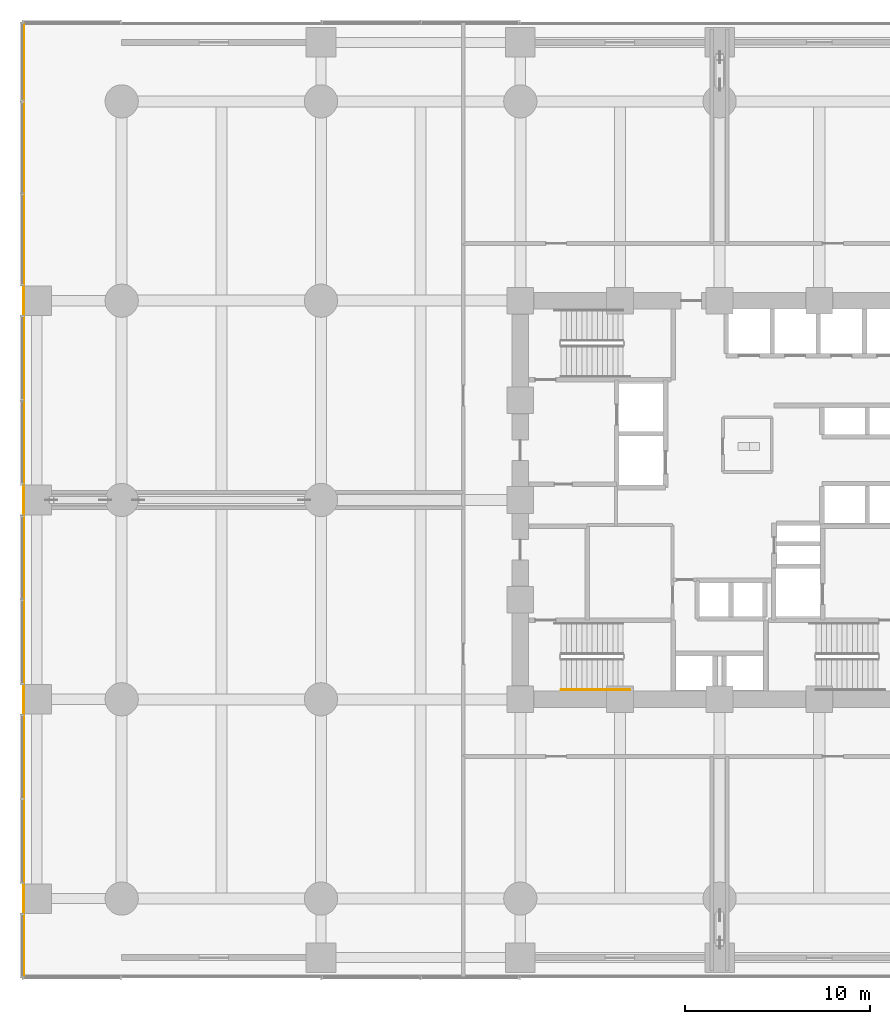
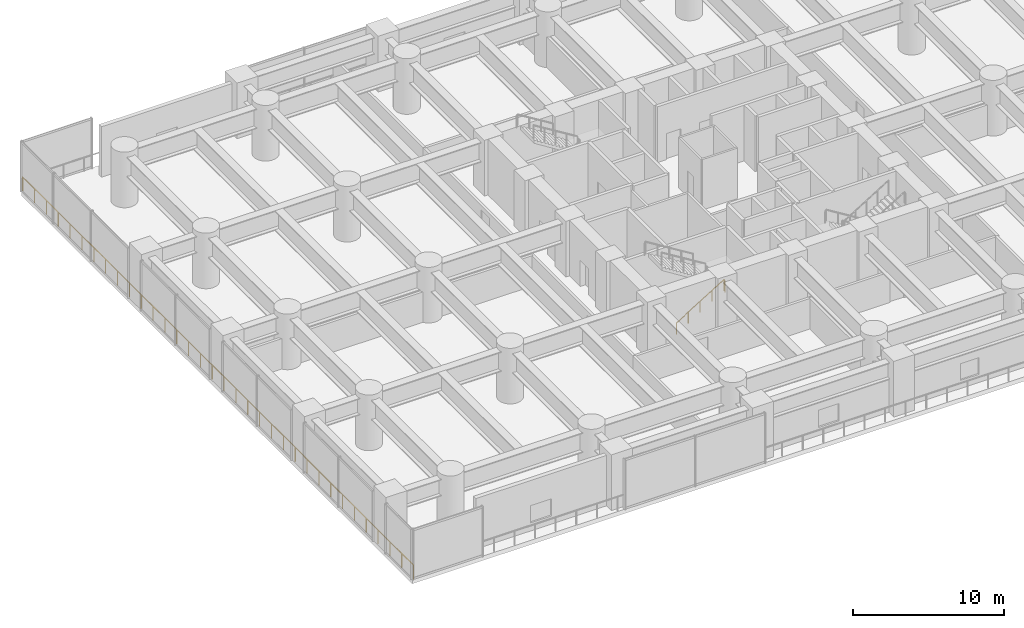
# One storey, part 32 of 37: 2 railings.
"""IFC4 building model written with IfcOpenShell, lengths in metres."""

from ifc_helpers import new_model, si_unit, direction, frame, origin, origin_2d, place, context, subcontext, project, spatial, circle, extrude, material, type_object, element, save


model = new_model("IFC4")

# Units and contexts
model_context = context("Model", 3, precision=1e-05, world=origin(), true_north=direction((0.0, 1.0)))
body_context = subcontext(model_context, "Body", "Model", "MODEL_VIEW")
ifc_project = project(units=[si_unit("LENGTHUNIT", "METRE"), si_unit("AREAUNIT", "SQUARE_METRE"), si_unit("VOLUMEUNIT", "CUBIC_METRE"), si_unit("PLANEANGLEUNIT", "RADIAN"), si_unit("MASSUNIT", "GRAM", prefix="KILO")], contexts=[model_context])

# Site, building, storey
site_placement = place(None, origin())
site = spatial("IfcSite", under=ifc_project, at=site_placement, CompositionType="ELEMENT")
building_placement = place(site_placement, origin())
building = spatial("IfcBuilding", under=site, at=building_placement, Name="Surkhivell Harbour Commons", CompositionType="ELEMENT")
storey_placement = place(building_placement, frame((0.0, 0.0, 18.0)))
storey = spatial("IfcBuildingStorey", under=building, at=storey_placement, Name="L04", CompositionType="ELEMENT", Elevation=18.0)

# Railings
ifc_material_1 = material(Name="Laminated safety glass and stainless steel S355 balustrade", Category="steel")
railing_type_1 = type_object("IfcRailingType", Name="RAL-BAL-1150", PredefinedType="BALUSTRADE", material=ifc_material_1)
railing_1_placement = place(storey_placement, frame((-37.699951171875, 25.89990234375, 0.0)))
element("IfcRailing", 1, at=railing_1_placement, inside=storey, type_object=railing_type_1, Name="L04 Perimeter Safety Guard 04", PredefinedType="BALUSTRADE", context=body_context, shape_type="SweptSolid", body=[
    extrude(circle(Radius=0.02392578125, at=origin_2d()), frame((0.0, 0.0, 1.1259765625), z_axis=(0.0, -1.0, 0.0), x_axis=(1.0, 0.0, 0.0)), (0.0, 0.0, 1.0), 51.7998046875),
    extrude(circle(Radius=0.02099609375, at=origin_2d()), origin(), (0.0, 0.0, 1.0), 1.101806640625),
    extrude(circle(Radius=0.02099609375, at=origin_2d()), frame((0.0, -1.569580078125, 0.0)), (0.0, 0.0, 1.0), 1.101806640625),
    extrude(circle(Radius=0.02099609375, at=origin_2d()), frame((0.0, -3.139404296875, 0.0)), (0.0, 0.0, 1.0), 1.101806640625),
    extrude(circle(Radius=0.02099609375, at=origin_2d()), frame((0.0, -4.708984375, 0.0)), (0.0, 0.0, 1.0), 1.101806640625),
    extrude(circle(Radius=0.02099609375, at=origin_2d()), frame((0.0, -6.27880859375, 0.0)), (0.0, 0.0, 1.0), 1.101806640625),
    extrude(circle(Radius=0.02099609375, at=origin_2d()), frame((0.0, -7.848388671875, 0.0)), (0.0, 0.0, 1.0), 1.101806640625),
    extrude(circle(Radius=0.02099609375, at=origin_2d()), frame((0.0, -9.418212890625, 0.0)), (0.0, 0.0, 1.0), 1.101806640625),
    extrude(circle(Radius=0.02099609375, at=origin_2d()), frame((0.0, -10.98779296875, 0.0)), (0.0, 0.0, 1.0), 1.101806640625),
    extrude(circle(Radius=0.02099609375, at=origin_2d()), frame((0.0, -12.5576171875, 0.0)), (0.0, 0.0, 1.0), 1.101806640625),
    extrude(circle(Radius=0.02099609375, at=origin_2d()), frame((0.0, -14.127197265625, 0.0)), (0.0, 0.0, 1.0), 1.101806640625),
    extrude(circle(Radius=0.02099609375, at=origin_2d()), frame((0.0, -15.697021484375, 0.0)), (0.0, 0.0, 1.0), 1.101806640625),
    extrude(circle(Radius=0.02099609375, at=origin_2d()), frame((0.0, -17.2666015625, 0.0)), (0.0, 0.0, 1.0), 1.101806640625),
    extrude(circle(Radius=0.02099609375, at=origin_2d()), frame((0.0, -18.836181640625, 0.0)), (0.0, 0.0, 1.0), 1.101806640625),
    extrude(circle(Radius=0.02099609375, at=origin_2d()), frame((0.0, -20.406005859375, 0.0)), (0.0, 0.0, 1.0), 1.101806640625),
    extrude(circle(Radius=0.02099609375, at=origin_2d()), frame((0.0, -21.9755859375, 0.0)), (0.0, 0.0, 1.0), 1.101806640625),
    extrude(circle(Radius=0.02099609375, at=origin_2d()), frame((0.0, -23.54541015625, 0.0)), (0.0, 0.0, 1.0), 1.101806640625),
    extrude(circle(Radius=0.02099609375, at=origin_2d()), frame((0.0, -25.114990234375, 0.0)), (0.0, 0.0, 1.0), 1.101806640625),
    extrude(circle(Radius=0.02099609375, at=origin_2d()), frame((0.0, -26.684814453125, 0.0)), (0.0, 0.0, 1.0), 1.101806640625),
    extrude(circle(Radius=0.02099609375, at=origin_2d()), frame((0.0, -28.25439453125, 0.0)), (0.0, 0.0, 1.0), 1.101806640625),
    extrude(circle(Radius=0.02099609375, at=origin_2d()), frame((0.0, -29.82421875, 0.0)), (0.0, 0.0, 1.0), 1.101806640625),
    extrude(circle(Radius=0.02099609375, at=origin_2d()), frame((0.0, -31.393798828125, 0.0)), (0.0, 0.0, 1.0), 1.101806640625),
    extrude(circle(Radius=0.02099609375, at=origin_2d()), frame((0.0, -32.963623046875, 0.0)), (0.0, 0.0, 1.0), 1.101806640625),
    extrude(circle(Radius=0.02099609375, at=origin_2d()), frame((0.0, -34.533203125, 0.0)), (0.0, 0.0, 1.0), 1.101806640625),
    extrude(circle(Radius=0.02099609375, at=origin_2d()), frame((0.0, -36.102783203125, 0.0)), (0.0, 0.0, 1.0), 1.101806640625),
    extrude(circle(Radius=0.02099609375, at=origin_2d()), frame((0.0, -37.672607421875, 0.0)), (0.0, 0.0, 1.0), 1.101806640625),
    extrude(circle(Radius=0.02099609375, at=origin_2d()), frame((0.0, -39.2421875, 0.0)), (0.0, 0.0, 1.0), 1.101806640625),
    extrude(circle(Radius=0.02099609375, at=origin_2d()), frame((0.0, -40.81201171875, 0.0)), (0.0, 0.0, 1.0), 1.101806640625),
    extrude(circle(Radius=0.02099609375, at=origin_2d()), frame((0.0, -42.381591796875, 0.0)), (0.0, 0.0, 1.0), 1.101806640625),
    extrude(circle(Radius=0.02099609375, at=origin_2d()), frame((0.0, -43.951416015625, 0.0)), (0.0, 0.0, 1.0), 1.101806640625),
    extrude(circle(Radius=0.02099609375, at=origin_2d()), frame((0.0, -45.52099609375, 0.0)), (0.0, 0.0, 1.0), 1.101806640625),
    extrude(circle(Radius=0.02099609375, at=origin_2d()), frame((0.0, -47.0908203125, 0.0)), (0.0, 0.0, 1.0), 1.101806640625),
    extrude(circle(Radius=0.02099609375, at=origin_2d()), frame((0.0, -48.660400390625, 0.0)), (0.0, 0.0, 1.0), 1.101806640625),
    extrude(circle(Radius=0.02099609375, at=origin_2d()), frame((0.0, -50.230224609375, 0.0)), (0.0, 0.0, 1.0), 1.101806640625),
    extrude(circle(Radius=0.02099609375, at=origin_2d()), frame((0.0, -51.7998046875, 0.0)), (0.0, 0.0, 1.0), 1.101806640625),
])
ifc_material_2 = material(Name="Brushed stainless steel S355 handrail", Category="steel")
railing_type_2 = type_object("IfcRailingType", Name="RAL-ST-HND900", PredefinedType="HANDRAIL", material=ifc_material_2)
railing_2_placement = place(storey_placement, frame((-8.590087890625, -10.2900390625, 0.173095703125)))
element("IfcRailing", 2, at=railing_2_placement, inside=storey, type_object=railing_type_2, Name="L04 ST3 stair handrail 1", PredefinedType="HANDRAIL", context=body_context, shape_type="SweptSolid", body=[
    extrude(circle(Radius=0.02392578125, at=origin_2d()), frame((0.0, 0.0, 0.8759765625), z_axis=(0.850622404505, 0.0, 0.525777067734), x_axis=(0.0, 1.0, 0.0)), (0.0, 0.0, 1.0), 4.279296875),
    extrude(circle(Radius=0.02392578125, at=origin_2d()), frame((3.64013671875, 0.0, 3.1259765625), z_axis=(0.418814502111, 0.0, -0.908071810388), x_axis=(0.0, 1.0, 0.0)), (0.0, 0.0, 1.0), 0.190673828125),
    extrude(circle(Radius=0.02099609375, at=origin_2d()), origin(), (0.0, 0.0, 1.0), 0.851806640625),
    extrude(circle(Radius=0.02099609375, at=origin_2d()), frame((0.91015625, 0.0, 0.5625)), (0.0, 0.0, 1.0), 0.851806640625),
    extrude(circle(Radius=0.02099609375, at=origin_2d()), frame((1.820068359375, 0.0, 1.125)), (0.0, 0.0, 1.0), 0.851806640625),
    extrude(circle(Radius=0.02099609375, at=origin_2d()), frame((2.72998046875, 0.0, 1.6875)), (0.0, 0.0, 1.0), 0.851806640625),
    extrude(circle(Radius=0.02099609375, at=origin_2d()), frame((3.64013671875, 0.0, 2.25)), (0.0, 0.0, 1.0), 0.851806640625),
    extrude(circle(Radius=0.02099609375, at=origin_2d()), frame((3.719970703125, 0.0, 2.076904296875)), (0.0, 0.0, 1.0), 0.851806640625),
])

save(model, "model.ifc")
